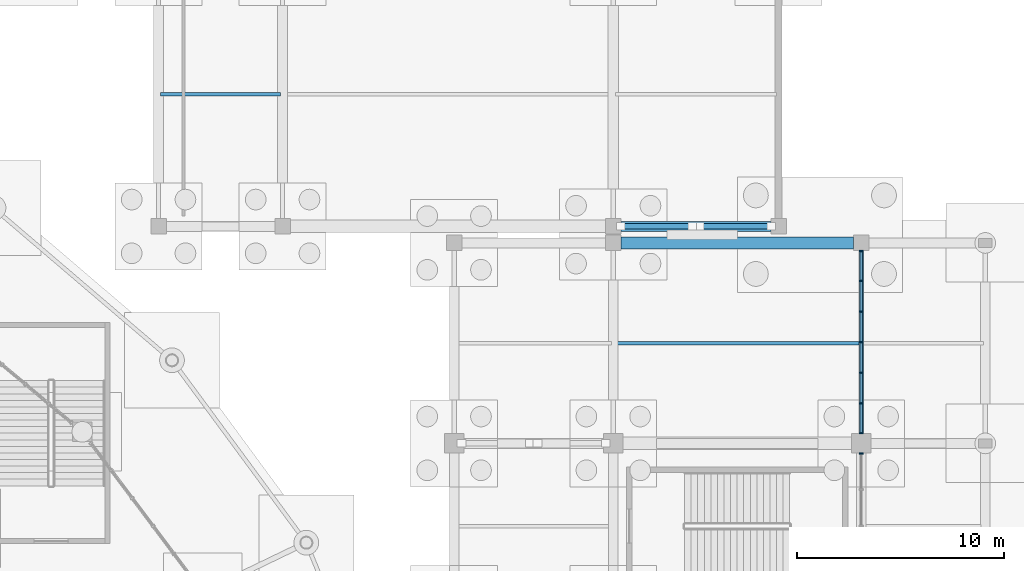
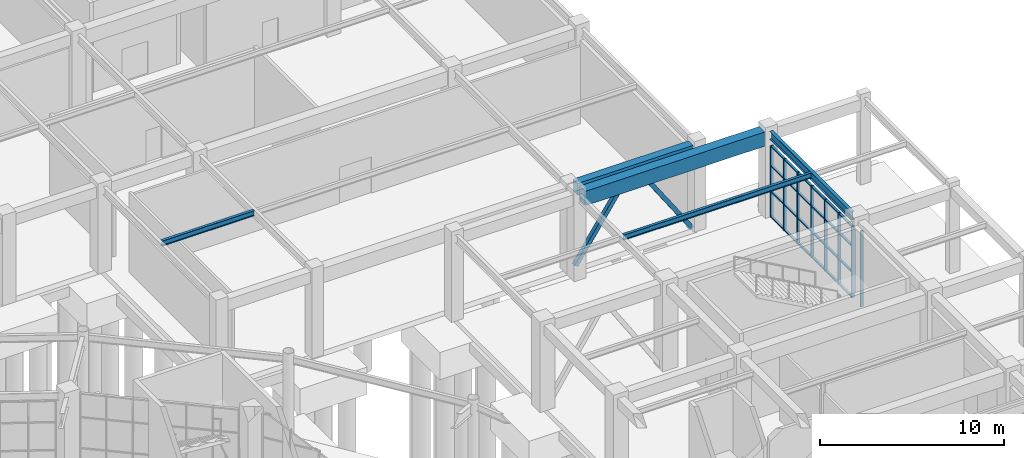
# One storey, part 61 of 121: 34 members, 5 beams, 2 elements without a shape of their own.
"""IFC4 building model written with IfcOpenShell, lengths in metres."""

from ifc_helpers import new_model, si_unit, direction, frame, origin, origin_2d, place, context, subcontext, project, spatial, rectangle, hollow_rectangle, i_section, extrude, material, material_profile, profile_set, type_object, element, aggregate, save


model = new_model("IFC4")

# Units and contexts
model_context = context("Model", 3, precision=1e-05, world=origin(), true_north=direction((0.0, 1.0)))
body_context = subcontext(model_context, "Body", "Model", "MODEL_VIEW")
ifc_project = project(units=[si_unit("LENGTHUNIT", "METRE"), si_unit("AREAUNIT", "SQUARE_METRE"), si_unit("VOLUMEUNIT", "CUBIC_METRE"), si_unit("PLANEANGLEUNIT", "RADIAN"), si_unit("MASSUNIT", "GRAM", prefix="KILO")], contexts=[model_context])

# Site, building, storey
site_placement = place(None, origin())
site = spatial("IfcSite", under=ifc_project, at=site_placement, CompositionType="ELEMENT")
building_placement = place(site_placement, origin())
building = spatial("IfcBuilding", under=site, at=building_placement, Name="Cuetzalor Civic Arena", CompositionType="ELEMENT")
storey_placement = place(building_placement, origin())
storey = spatial("IfcBuildingStorey", under=building, at=storey_placement, Name="L00", CompositionType="ELEMENT", Elevation=0.0)

# Beams
ifc_material_1 = material(Name="Concrete C40/50", Category="concrete")
ifc_material_profile_1 = material_profile(ifc_material_1, rectangle(XDim=0.5, YDim=0.75, at=origin_2d()), Name="RC 500x750")
ifc_profile_set_1 = profile_set([ifc_material_profile_1], Name="Concrete C40/50")
beam_type_1 = type_object("IfcBeamType", Name="ConcreteFrameBeam_500x750", PredefinedType="BEAM", material=ifc_profile_set_1)
beam_1_placement = place(storey_placement, frame((64.364990234375, 35.5, 5.324951171875), z_axis=(1.0, 0.0, 0.0), x_axis=(0.0, 1.0, 0.0)))
element("IfcBeam", 1, at=beam_1_placement, inside=storey, type_object=beam_type_1, Name="Frame Girder V5-L00-X0218", PredefinedType="BEAM", context=body_context, shape_type="SweptSolid", body=[
    extrude(rectangle(XDim=0.5, YDim=0.75, at=origin_2d()), origin(), (0.0, 0.0, 1.0), 7.27001953125),
])
ifc_material_2 = material(Name="Concrete C40/50", Category="concrete")
ifc_material_profile_2 = material_profile(ifc_material_2, rectangle(XDim=0.60009765625, YDim=0.949951171875, at=origin_2d()), Name="RC 600x950")
ifc_profile_set_2 = profile_set([ifc_material_profile_2], Name="Concrete C40/50")
beam_type_2 = type_object("IfcBeamType", Name="ConcreteFrameBeam_600x950", PredefinedType="BEAM", material=ifc_profile_set_2)
beam_2_placement = place(storey_placement, frame((64.364990234375, 34.699951171875, 5.22509765625), z_axis=(1.0, 0.0, 0.0), x_axis=(0.0, 1.0, 0.0)))
element("IfcBeam", 2, at=beam_2_placement, inside=storey, type_object=beam_type_2, Name="Frame Girder V4E-L00-X0169", PredefinedType="BEAM", context=body_context, shape_type="SweptSolid", body=[
    extrude(rectangle(XDim=0.60009765625, YDim=0.949951171875, at=origin_2d()), origin(), (0.0, 0.0, 1.0), 11.27001953125),
])

# Curtain wall, member
ifc_material_3 = material(Name="Anodised dark bronze aluminium and low-E solar glass", Category="aluminium")
curtain_wall_type_1 = type_object("IfcCurtainWallType", Name="UnitisedCW_7100x5050", PredefinedType="USERDEFINED", material=ifc_material_3)
curtain_wall_1_placement = place(storey_placement, origin())
curtain_wall_1 = element("IfcCurtainWall", 3, at=curtain_wall_1_placement, inside=storey, type_object=curtain_wall_type_1, Name="V4E Colonnade Curtain Wall L00-133", ObjectType="UNITISED CURTAIN WALL", PredefinedType="USERDEFINED")
ifc_material_4 = material(Name="Anodised dark bronze aluminium", Category="aluminium")
ifc_material_profile_3 = material_profile(ifc_material_4, rectangle(XDim=0.070068359375, YDim=0.179931640625, at=origin_2d()), Name="ALU MULLION 70x180")
ifc_profile_set_3 = profile_set([ifc_material_profile_3], Name="Anodised dark bronze aluminium")
member_type_1 = type_object("IfcMemberType", Name="CurtainWallMullion_65x180", PredefinedType="MULLION", material=ifc_profile_set_3)
member_1_placement = place(storey_placement, frame((76.0, 24.508056640625, 0.0), z_axis=(0.0, 0.0, 1.0), x_axis=(0.0, -1.0, 0.0)))
member_1 = element("IfcMember", 4, at=member_1_placement, type_object=member_type_1, Name="CW-34 mullion 1", PredefinedType="MULLION", context=body_context, shape_type="SweptSolid", body=[
    extrude(rectangle(XDim=0.070068359375, YDim=0.179931640625, at=origin_2d()), origin(), (0.0, 0.0, 1.0), 5.0400390625),
])
aggregate(curtain_wall_1, [member_1])

# Curtain wall, members
ifc_material_5 = material(Name="Anodised dark bronze aluminium and low-E solar glass", Category="aluminium")
curtain_wall_type_2 = type_object("IfcCurtainWallType", Name="UnitisedCW_8900x4750", PredefinedType="USERDEFINED", material=ifc_material_5)
curtain_wall_2_placement = place(storey_placement, origin())
curtain_wall_2 = element("IfcCurtainWall", 5, at=curtain_wall_2_placement, inside=storey, type_object=curtain_wall_type_2, Name="V4E Colonnade Curtain Wall L00-134", ObjectType="UNITISED CURTAIN WALL", PredefinedType="USERDEFINED")
member_2_placement = place(storey_placement, frame((76.0, 34.30810546875, 0.0), z_axis=(0.0, 0.0, 1.0), x_axis=(0.0, -1.0, 0.0)))
member_2 = element("IfcMember", 6, at=member_2_placement, type_object=member_type_1, Name="CW-35 mullion 1", PredefinedType="MULLION", context=body_context, shape_type="SweptSolid", body=[
    extrude(rectangle(XDim=0.070068359375, YDim=0.179931640625, at=origin_2d()), origin(), (0.0, 0.0, 1.0), 4.739990234375),
])
member_3_placement = place(storey_placement, frame((76.0, 32.862060546875, 0.0), z_axis=(0.0, 0.0, 1.0), x_axis=(0.0, -1.0, 0.0)))
member_3 = element("IfcMember", 7, at=member_3_placement, type_object=member_type_1, Name="CW-35 mullion 2", PredefinedType="MULLION", context=body_context, shape_type="SweptSolid", body=[
    extrude(rectangle(XDim=0.070068359375, YDim=0.179931640625, at=origin_2d()), origin(), (0.0, 0.0, 1.0), 4.739990234375),
])
member_4_placement = place(storey_placement, frame((76.0, 31.381103515625, 0.0), z_axis=(0.0, 0.0, 1.0), x_axis=(0.0, -1.0, 0.0)))
member_4 = element("IfcMember", 8, at=member_4_placement, type_object=member_type_1, Name="CW-35 mullion 3", PredefinedType="MULLION", context=body_context, shape_type="SweptSolid", body=[
    extrude(rectangle(XDim=0.070068359375, YDim=0.179931640625, at=origin_2d()), origin(), (0.0, 0.0, 1.0), 4.739990234375),
])
member_5_placement = place(storey_placement, frame((76.0, 29.89990234375, 0.0), z_axis=(0.0, 0.0, 1.0), x_axis=(0.0, -1.0, 0.0)))
member_5 = element("IfcMember", 9, at=member_5_placement, type_object=member_type_1, Name="CW-35 mullion 4", PredefinedType="MULLION", context=body_context, shape_type="SweptSolid", body=[
    extrude(rectangle(XDim=0.070068359375, YDim=0.179931640625, at=origin_2d()), origin(), (0.0, 0.0, 1.0), 4.739990234375),
])
member_6_placement = place(storey_placement, frame((76.0, 28.4189453125, 0.0), z_axis=(0.0, 0.0, 1.0), x_axis=(0.0, -1.0, 0.0)))
member_6 = element("IfcMember", 10, at=member_6_placement, type_object=member_type_1, Name="CW-35 mullion 5", PredefinedType="MULLION", context=body_context, shape_type="SweptSolid", body=[
    extrude(rectangle(XDim=0.070068359375, YDim=0.179931640625, at=origin_2d()), origin(), (0.0, 0.0, 1.0), 4.739990234375),
])
member_7_placement = place(storey_placement, frame((76.0, 26.93798828125, 0.0), z_axis=(0.0, 0.0, 1.0), x_axis=(0.0, -1.0, 0.0)))
member_7 = element("IfcMember", 11, at=member_7_placement, type_object=member_type_1, Name="CW-35 mullion 6", PredefinedType="MULLION", context=body_context, shape_type="SweptSolid", body=[
    extrude(rectangle(XDim=0.070068359375, YDim=0.179931640625, at=origin_2d()), origin(), (0.0, 0.0, 1.0), 4.739990234375),
])
member_8_placement = place(storey_placement, frame((76.0, 25.491943359375, 0.0), z_axis=(0.0, 0.0, 1.0), x_axis=(0.0, -1.0, 0.0)))
member_8 = element("IfcMember", 12, at=member_8_placement, type_object=member_type_1, Name="CW-35 mullion 7", PredefinedType="MULLION", context=body_context, shape_type="SweptSolid", body=[
    extrude(rectangle(XDim=0.070068359375, YDim=0.179931640625, at=origin_2d()), origin(), (0.0, 0.0, 1.0), 4.739990234375),
])
ifc_material_6 = material(Name="Anodised dark bronze aluminium", Category="aluminium")
ifc_material_profile_4 = material_profile(ifc_material_6, rectangle(XDim=0.139892578125, YDim=0.070068359375, at=origin_2d()), Name="ALU TRANSOM 70x140")
ifc_profile_set_4 = profile_set([ifc_material_profile_4], Name="Anodised dark bronze aluminium")
member_type_2 = type_object("IfcMemberType", Name="CurtainWallTransom_65x140", PredefinedType="USERDEFINED", material=ifc_profile_set_4)
member_9_placement = place(storey_placement, frame((76.0, 34.27294921875, 0.034912109375), z_axis=(0.0, -1.0, 0.0), x_axis=(1.0, 0.0, 0.0)))
member_9 = element("IfcMember", 13, at=member_9_placement, type_object=member_type_2, Name="CW-35 transom 1.1", ObjectType="TRANSOM", PredefinedType="USERDEFINED", context=body_context, shape_type="SweptSolid", body=[
    extrude(rectangle(XDim=0.139892578125, YDim=0.070068359375, at=origin_2d()), origin(), (0.0, 0.0, 1.0), 1.3759765625),
])
member_10_placement = place(storey_placement, frame((76.0, 34.27294921875, 1.7060546875), z_axis=(0.0, -1.0, 0.0), x_axis=(1.0, 0.0, 0.0)))
member_10 = element("IfcMember", 14, at=member_10_placement, type_object=member_type_2, Name="CW-35 transom 1.2", ObjectType="TRANSOM", PredefinedType="USERDEFINED", context=body_context, shape_type="SweptSolid", body=[
    extrude(rectangle(XDim=0.139892578125, YDim=0.070068359375, at=origin_2d()), origin(), (0.0, 0.0, 1.0), 1.3759765625),
])
member_11_placement = place(storey_placement, frame((76.0, 34.27294921875, 3.4130859375), z_axis=(0.0, -1.0, 0.0), x_axis=(1.0, 0.0, 0.0)))
member_11 = element("IfcMember", 15, at=member_11_placement, type_object=member_type_2, Name="CW-35 transom 1.3", ObjectType="TRANSOM", PredefinedType="USERDEFINED", context=body_context, shape_type="SweptSolid", body=[
    extrude(rectangle(XDim=0.139892578125, YDim=0.070068359375, at=origin_2d()), origin(), (0.0, 0.0, 1.0), 1.3759765625),
])
member_12_placement = place(storey_placement, frame((76.0, 34.27294921875, 4.705078125), z_axis=(0.0, -1.0, 0.0), x_axis=(1.0, 0.0, 0.0)))
member_12 = element("IfcMember", 16, at=member_12_placement, type_object=member_type_2, Name="CW-35 transom 1.4", ObjectType="TRANSOM", PredefinedType="USERDEFINED", context=body_context, shape_type="SweptSolid", body=[
    extrude(rectangle(XDim=0.139892578125, YDim=0.070068359375, at=origin_2d()), origin(), (0.0, 0.0, 1.0), 1.3759765625),
])
member_13_placement = place(storey_placement, frame((76.0, 32.826904296875, 0.034912109375), z_axis=(0.0, -1.0, 0.0), x_axis=(1.0, 0.0, 0.0)))
member_13 = element("IfcMember", 17, at=member_13_placement, type_object=member_type_2, Name="CW-35 transom 2.1", ObjectType="TRANSOM", PredefinedType="USERDEFINED", context=body_context, shape_type="SweptSolid", body=[
    extrude(rectangle(XDim=0.139892578125, YDim=0.070068359375, at=origin_2d()), origin(), (0.0, 0.0, 1.0), 1.410888671875),
])
member_14_placement = place(storey_placement, frame((76.0, 32.826904296875, 1.7060546875), z_axis=(0.0, -1.0, 0.0), x_axis=(1.0, 0.0, 0.0)))
member_14 = element("IfcMember", 18, at=member_14_placement, type_object=member_type_2, Name="CW-35 transom 2.2", ObjectType="TRANSOM", PredefinedType="USERDEFINED", context=body_context, shape_type="SweptSolid", body=[
    extrude(rectangle(XDim=0.139892578125, YDim=0.070068359375, at=origin_2d()), origin(), (0.0, 0.0, 1.0), 1.410888671875),
])
member_15_placement = place(storey_placement, frame((76.0, 32.826904296875, 3.4130859375), z_axis=(0.0, -1.0, 0.0), x_axis=(1.0, 0.0, 0.0)))
member_15 = element("IfcMember", 19, at=member_15_placement, type_object=member_type_2, Name="CW-35 transom 2.3", ObjectType="TRANSOM", PredefinedType="USERDEFINED", context=body_context, shape_type="SweptSolid", body=[
    extrude(rectangle(XDim=0.139892578125, YDim=0.070068359375, at=origin_2d()), origin(), (0.0, 0.0, 1.0), 1.410888671875),
])
member_16_placement = place(storey_placement, frame((76.0, 32.826904296875, 4.705078125), z_axis=(0.0, -1.0, 0.0), x_axis=(1.0, 0.0, 0.0)))
member_16 = element("IfcMember", 20, at=member_16_placement, type_object=member_type_2, Name="CW-35 transom 2.4", ObjectType="TRANSOM", PredefinedType="USERDEFINED", context=body_context, shape_type="SweptSolid", body=[
    extrude(rectangle(XDim=0.139892578125, YDim=0.070068359375, at=origin_2d()), origin(), (0.0, 0.0, 1.0), 1.410888671875),
])
member_17_placement = place(storey_placement, frame((76.0, 31.345947265625, 0.034912109375), z_axis=(0.0, -1.0, 0.0), x_axis=(1.0, 0.0, 0.0)))
member_17 = element("IfcMember", 21, at=member_17_placement, type_object=member_type_2, Name="CW-35 transom 3.1", ObjectType="TRANSOM", PredefinedType="USERDEFINED", context=body_context, shape_type="SweptSolid", body=[
    extrude(rectangle(XDim=0.139892578125, YDim=0.070068359375, at=origin_2d()), origin(), (0.0, 0.0, 1.0), 1.410888671875),
])
member_18_placement = place(storey_placement, frame((76.0, 31.345947265625, 1.7060546875), z_axis=(0.0, -1.0, 0.0), x_axis=(1.0, 0.0, 0.0)))
member_18 = element("IfcMember", 22, at=member_18_placement, type_object=member_type_2, Name="CW-35 transom 3.2", ObjectType="TRANSOM", PredefinedType="USERDEFINED", context=body_context, shape_type="SweptSolid", body=[
    extrude(rectangle(XDim=0.139892578125, YDim=0.070068359375, at=origin_2d()), origin(), (0.0, 0.0, 1.0), 1.410888671875),
])
member_19_placement = place(storey_placement, frame((76.0, 31.345947265625, 3.4130859375), z_axis=(0.0, -1.0, 0.0), x_axis=(1.0, 0.0, 0.0)))
member_19 = element("IfcMember", 23, at=member_19_placement, type_object=member_type_2, Name="CW-35 transom 3.3", ObjectType="TRANSOM", PredefinedType="USERDEFINED", context=body_context, shape_type="SweptSolid", body=[
    extrude(rectangle(XDim=0.139892578125, YDim=0.070068359375, at=origin_2d()), origin(), (0.0, 0.0, 1.0), 1.410888671875),
])
member_20_placement = place(storey_placement, frame((76.0, 31.345947265625, 4.705078125), z_axis=(0.0, -1.0, 0.0), x_axis=(1.0, 0.0, 0.0)))
member_20 = element("IfcMember", 24, at=member_20_placement, type_object=member_type_2, Name="CW-35 transom 3.4", ObjectType="TRANSOM", PredefinedType="USERDEFINED", context=body_context, shape_type="SweptSolid", body=[
    extrude(rectangle(XDim=0.139892578125, YDim=0.070068359375, at=origin_2d()), origin(), (0.0, 0.0, 1.0), 1.410888671875),
])
member_21_placement = place(storey_placement, frame((76.0, 29.864990234375, 0.034912109375), z_axis=(0.0, -1.0, 0.0), x_axis=(1.0, 0.0, 0.0)))
member_21 = element("IfcMember", 25, at=member_21_placement, type_object=member_type_2, Name="CW-35 transom 4.1", ObjectType="TRANSOM", PredefinedType="USERDEFINED", context=body_context, shape_type="SweptSolid", body=[
    extrude(rectangle(XDim=0.139892578125, YDim=0.070068359375, at=origin_2d()), origin(), (0.0, 0.0, 1.0), 1.410888671875),
])
member_22_placement = place(storey_placement, frame((76.0, 29.864990234375, 1.7060546875), z_axis=(0.0, -1.0, 0.0), x_axis=(1.0, 0.0, 0.0)))
member_22 = element("IfcMember", 26, at=member_22_placement, type_object=member_type_2, Name="CW-35 transom 4.2", ObjectType="TRANSOM", PredefinedType="USERDEFINED", context=body_context, shape_type="SweptSolid", body=[
    extrude(rectangle(XDim=0.139892578125, YDim=0.070068359375, at=origin_2d()), origin(), (0.0, 0.0, 1.0), 1.410888671875),
])
member_23_placement = place(storey_placement, frame((76.0, 29.864990234375, 3.4130859375), z_axis=(0.0, -1.0, 0.0), x_axis=(1.0, 0.0, 0.0)))
member_23 = element("IfcMember", 27, at=member_23_placement, type_object=member_type_2, Name="CW-35 transom 4.3", ObjectType="TRANSOM", PredefinedType="USERDEFINED", context=body_context, shape_type="SweptSolid", body=[
    extrude(rectangle(XDim=0.139892578125, YDim=0.070068359375, at=origin_2d()), origin(), (0.0, 0.0, 1.0), 1.410888671875),
])
member_24_placement = place(storey_placement, frame((76.0, 29.864990234375, 4.705078125), z_axis=(0.0, -1.0, 0.0), x_axis=(1.0, 0.0, 0.0)))
member_24 = element("IfcMember", 28, at=member_24_placement, type_object=member_type_2, Name="CW-35 transom 4.4", ObjectType="TRANSOM", PredefinedType="USERDEFINED", context=body_context, shape_type="SweptSolid", body=[
    extrude(rectangle(XDim=0.139892578125, YDim=0.070068359375, at=origin_2d()), origin(), (0.0, 0.0, 1.0), 1.410888671875),
])
member_25_placement = place(storey_placement, frame((76.0, 28.384033203125, 0.034912109375), z_axis=(0.0, -1.0, 0.0), x_axis=(1.0, 0.0, 0.0)))
member_25 = element("IfcMember", 29, at=member_25_placement, type_object=member_type_2, Name="CW-35 transom 5.1", ObjectType="TRANSOM", PredefinedType="USERDEFINED", context=body_context, shape_type="SweptSolid", body=[
    extrude(rectangle(XDim=0.139892578125, YDim=0.070068359375, at=origin_2d()), origin(), (0.0, 0.0, 1.0), 1.4111328125),
])
member_26_placement = place(storey_placement, frame((76.0, 28.384033203125, 1.7060546875), z_axis=(0.0, -1.0, 0.0), x_axis=(1.0, 0.0, 0.0)))
member_26 = element("IfcMember", 30, at=member_26_placement, type_object=member_type_2, Name="CW-35 transom 5.2", ObjectType="TRANSOM", PredefinedType="USERDEFINED", context=body_context, shape_type="SweptSolid", body=[
    extrude(rectangle(XDim=0.139892578125, YDim=0.070068359375, at=origin_2d()), origin(), (0.0, 0.0, 1.0), 1.4111328125),
])
member_27_placement = place(storey_placement, frame((76.0, 28.384033203125, 3.4130859375), z_axis=(0.0, -1.0, 0.0), x_axis=(1.0, 0.0, 0.0)))
member_27 = element("IfcMember", 31, at=member_27_placement, type_object=member_type_2, Name="CW-35 transom 5.3", ObjectType="TRANSOM", PredefinedType="USERDEFINED", context=body_context, shape_type="SweptSolid", body=[
    extrude(rectangle(XDim=0.139892578125, YDim=0.070068359375, at=origin_2d()), origin(), (0.0, 0.0, 1.0), 1.4111328125),
])
member_28_placement = place(storey_placement, frame((76.0, 28.384033203125, 4.705078125), z_axis=(0.0, -1.0, 0.0), x_axis=(1.0, 0.0, 0.0)))
member_28 = element("IfcMember", 32, at=member_28_placement, type_object=member_type_2, Name="CW-35 transom 5.4", ObjectType="TRANSOM", PredefinedType="USERDEFINED", context=body_context, shape_type="SweptSolid", body=[
    extrude(rectangle(XDim=0.139892578125, YDim=0.070068359375, at=origin_2d()), origin(), (0.0, 0.0, 1.0), 1.4111328125),
])
member_29_placement = place(storey_placement, frame((76.0, 26.903076171875, 0.034912109375), z_axis=(0.0, -1.0, 0.0), x_axis=(1.0, 0.0, 0.0)))
member_29 = element("IfcMember", 33, at=member_29_placement, type_object=member_type_2, Name="CW-35 transom 6.1", ObjectType="TRANSOM", PredefinedType="USERDEFINED", context=body_context, shape_type="SweptSolid", body=[
    extrude(rectangle(XDim=0.139892578125, YDim=0.070068359375, at=origin_2d()), origin(), (0.0, 0.0, 1.0), 1.3759765625),
])
member_30_placement = place(storey_placement, frame((76.0, 26.903076171875, 1.7060546875), z_axis=(0.0, -1.0, 0.0), x_axis=(1.0, 0.0, 0.0)))
member_30 = element("IfcMember", 34, at=member_30_placement, type_object=member_type_2, Name="CW-35 transom 6.2", ObjectType="TRANSOM", PredefinedType="USERDEFINED", context=body_context, shape_type="SweptSolid", body=[
    extrude(rectangle(XDim=0.139892578125, YDim=0.070068359375, at=origin_2d()), origin(), (0.0, 0.0, 1.0), 1.3759765625),
])
member_31_placement = place(storey_placement, frame((76.0, 26.903076171875, 3.4130859375), z_axis=(0.0, -1.0, 0.0), x_axis=(1.0, 0.0, 0.0)))
member_31 = element("IfcMember", 35, at=member_31_placement, type_object=member_type_2, Name="CW-35 transom 6.3", ObjectType="TRANSOM", PredefinedType="USERDEFINED", context=body_context, shape_type="SweptSolid", body=[
    extrude(rectangle(XDim=0.139892578125, YDim=0.070068359375, at=origin_2d()), origin(), (0.0, 0.0, 1.0), 1.3759765625),
])
member_32_placement = place(storey_placement, frame((76.0, 26.903076171875, 4.705078125), z_axis=(0.0, -1.0, 0.0), x_axis=(1.0, 0.0, 0.0)))
member_32 = element("IfcMember", 36, at=member_32_placement, type_object=member_type_2, Name="CW-35 transom 6.4", ObjectType="TRANSOM", PredefinedType="USERDEFINED", context=body_context, shape_type="SweptSolid", body=[
    extrude(rectangle(XDim=0.139892578125, YDim=0.070068359375, at=origin_2d()), origin(), (0.0, 0.0, 1.0), 1.3759765625),
])
aggregate(curtain_wall_2, [member_2, member_3, member_4, member_5, member_6, member_7, member_8, member_9, member_10, member_11, member_12, member_13, member_14, member_15, member_16, member_17, member_18, member_19, member_20, member_21, member_22, member_23, member_24, member_25, member_26, member_27, member_28, member_29, member_30, member_31, member_32])

# Members
ifc_material_7 = material(Name="Steel S355", Category="steel")
ifc_material_profile_5 = material_profile(ifc_material_7, hollow_rectangle(XDim=0.260009765625, YDim=0.260009765625, WallThickness=0.012451171875, at=origin_2d()), Name="RHS 260x260x12.5")
ifc_profile_set_5 = profile_set([ifc_material_profile_5], Name="Steel S355")
member_type_3 = type_object("IfcMemberType", Name="LateralFrameBrace_RHS260", PredefinedType="BRACE", material=ifc_profile_set_5)
for number, where, z_axis, x_axis, name in (
    (37, (64.360107421875, 35.5, 0.14990234375), (0.559153651336, 0.0, 0.829064047102), (0.0, 1.0, 0.0), "Lateral Chevron Brace V5-L00-007"),
    (38, (71.639892578125, 35.5, 0.14990234375), (-0.559153651336, 0.0, 0.829064047102), (0.0, -1.0, 0.0), "Lateral Chevron Brace V5-L00-008"),
):
    element("IfcMember", number, at=place(storey_placement, frame(where, z_axis=z_axis, x_axis=x_axis)), inside=storey, type_object=member_type_3, Name=name, PredefinedType="BRACE", context=body_context, shape_type="SweptSolid", body=[
        extrude(hollow_rectangle(XDim=0.260009765625, YDim=0.260009765625, WallThickness=0.012451171875, at=origin_2d()), origin(), (0.0, 0.0, 1.0), 6.187744140625),
    ])

# Beams
ifc_material_8 = material(Name="Steel S355", Category="steel")
ifc_material_profile_6 = material_profile(ifc_material_8, i_section(OverallWidth=0.1708984375, OverallDepth=0.35498046875, WebThickness=0.007080078125, FlangeThickness=0.01171875, at=origin_2d()), Name="W360x51")
ifc_profile_set_6 = profile_set([ifc_material_profile_6], Name="Steel S355")
beam_type_3 = type_object("IfcBeamType", Name="SecondaryFloorJoist_W360", PredefinedType="JOIST", material=ifc_profile_set_6)
beam_3_placement = place(storey_placement, frame((64.096435546875, 29.85009765625, 5.5224609375), z_axis=(1.0, 0.0, 0.0), x_axis=(0.0, 1.0, 0.0)))
element("IfcBeam", 39, at=beam_3_placement, inside=storey, type_object=beam_type_3, Name="Secondary Floor Joist V4E-L00-0060", PredefinedType="JOIST", context=body_context, shape_type="SweptSolid", body=[
    extrude(i_section(OverallWidth=0.1708984375, OverallDepth=0.35498046875, WebThickness=0.007080078125, FlangeThickness=0.01171875, at=origin_2d()), origin(), (0.0, 0.0, 1.0), 11.80712890625),
])
beam_4_placement = place(storey_placement, frame((42.096435546875, 41.89990234375, 5.5224609375), z_axis=(1.0, 0.0, 0.0), x_axis=(0.0, 1.0, 0.0)))
element("IfcBeam", 40, at=beam_4_placement, inside=storey, type_object=beam_type_3, Name="Secondary Floor Joist V5-L00-0084", PredefinedType="JOIST", context=body_context, shape_type="SweptSolid", body=[
    extrude(i_section(OverallWidth=0.1708984375, OverallDepth=0.35498046875, WebThickness=0.007080078125, FlangeThickness=0.01171875, at=origin_2d()), origin(), (0.0, 0.0, 1.0), 5.80712890625),
])
ifc_material_9 = material(Name="Steel S355", Category="steel")
ifc_material_profile_7 = material_profile(ifc_material_9, i_section(OverallWidth=0.208984375, OverallDepth=0.532958984375, WebThickness=0.01025390625, FlangeThickness=0.015625, at=origin_2d()), Name="W530x92")
ifc_profile_set_7 = profile_set([ifc_material_profile_7], Name="Steel S355")
beam_type_4 = type_object("IfcBeamType", Name="SteelCollarGirder_W530", PredefinedType="BEAM", material=ifc_profile_set_7)
beam_5_placement = place(storey_placement, frame((76.0, 25.465087890625, 5.43359375), z_axis=(0.0, 1.0, 0.0), x_axis=(-1.0, 0.0, 0.0)))
element("IfcBeam", 41, at=beam_5_placement, inside=storey, type_object=beam_type_4, Name="Frame Girder V4E-L00-Y0202", PredefinedType="BEAM", context=body_context, shape_type="SweptSolid", body=[
    extrude(i_section(OverallWidth=0.208984375, OverallDepth=0.532958984375, WebThickness=0.01025390625, FlangeThickness=0.015625, at=origin_2d()), origin(), (0.0, 0.0, 1.0), 8.869873046875),
])

save(model, "model.ifc")
